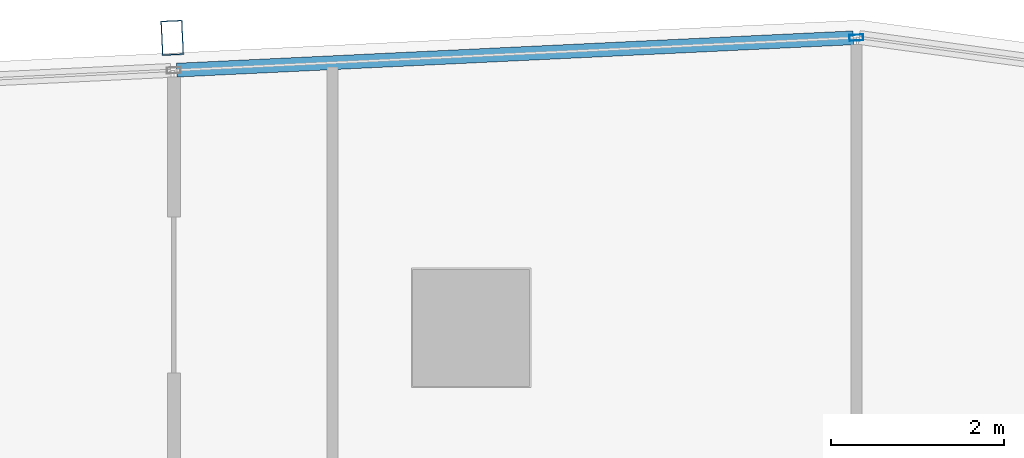
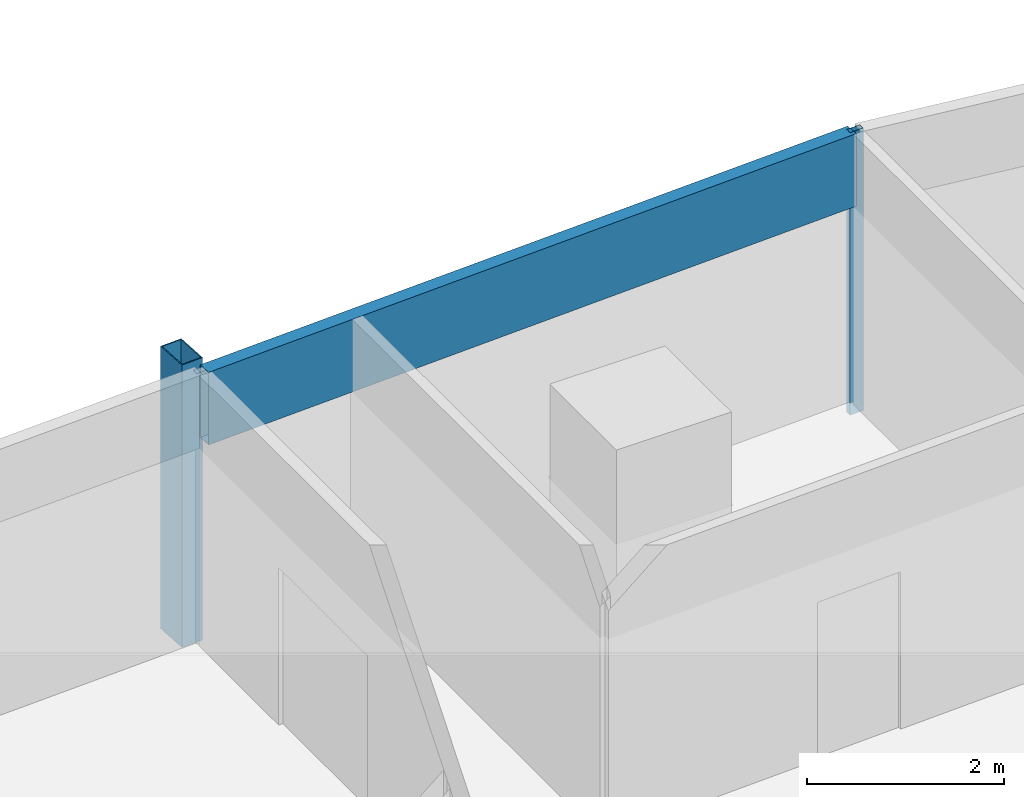
# One storey, part 22 of 35: 3 members, 1 element without a shape of its own.
"""IFC4 building model written with IfcOpenShell, lengths in metres."""

from ifc_helpers import new_model, si_unit, direction, frame, origin, origin_2d, place, context, subcontext, project, spatial, hollow_rectangle, extrude, material, material_profile, profile_set, type_object, element, aggregate, save


model = new_model("IFC4")

# Units and contexts
model_context = context("Model", 3, precision=1e-05, world=origin(), true_north=direction((0.0, 1.0)))
body_context = subcontext(model_context, "Body", "Model", "MODEL_VIEW")
ifc_project = project(units=[si_unit("LENGTHUNIT", "METRE"), si_unit("AREAUNIT", "SQUARE_METRE"), si_unit("VOLUMEUNIT", "CUBIC_METRE"), si_unit("PLANEANGLEUNIT", "RADIAN"), si_unit("MASSUNIT", "GRAM", prefix="KILO")], contexts=[model_context])

# Site, building, storey
site_placement = place(None, origin())
site = spatial("IfcSite", under=ifc_project, at=site_placement, CompositionType="ELEMENT")
building_placement = place(site_placement, origin())
building = spatial("IfcBuilding", under=site, at=building_placement, Name="Rekha Terrace Tower", CompositionType="ELEMENT")
storey_placement = place(building_placement, frame((0.0, 0.0, 191.449951171875)))
storey = spatial("IfcBuildingStorey", under=building, at=storey_placement, Name="L48", CompositionType="ELEMENT", Elevation=191.449951171875)

# Curtain wall, members
ifc_material_1 = material(Name="Aluminium framing", Category="aluminium")
curtain_wall_type = type_object("IfcCurtainWallType", Name="CW3 north unitised glazing", PredefinedType="USERDEFINED", material=ifc_material_1)
curtain_wall_placement = place(storey_placement, origin())
curtain_wall = element("IfcCurtainWall", 1, at=curtain_wall_placement, inside=storey, type_object=curtain_wall_type, Name="CW3 unitised curtain wall", ObjectType="UNITISED CURTAIN WALL", PredefinedType="USERDEFINED")
ifc_material_2 = material(Name="Steel S355 with fluorocarbon finish", Category="steel")
ifc_material_profile_1 = material_profile(ifc_material_2, hollow_rectangle(XDim=0.25, YDim=0.39990234375, WallThickness=0.012451171875, at=origin_2d()), Name="RHS400x250x12.5")
ifc_profile_set_1 = profile_set([ifc_material_profile_1], Name="Steel S355 with fluorocarbon finish")
member_type_1 = type_object("IfcMemberType", Name="BL1 facade blade RHS 400 x 250", PredefinedType="USERDEFINED", material=ifc_profile_set_1)
member_1_placement = place(storey_placement, frame((38.55224609375, 62.145751953125, 0.0), z_axis=(0.0, 0.0, 1.0), x_axis=(-0.998858913274, -0.04775846913, 0.0)))
member_1 = element("IfcMember", 2, at=member_1_placement, type_object=member_type_1, Name="Facade blade", ObjectType="FACADE BLADE", PredefinedType="USERDEFINED", context=body_context, shape_type="SweptSolid", body=[
    extrude(hollow_rectangle(XDim=0.25, YDim=0.39990234375, WallThickness=0.012451171875, at=origin_2d()), origin(), (0.0, 0.0, 1.0), 3.5),
])
ifc_material_3 = material(Name="Aluminium mullion section", Category="aluminium")
ifc_material_profile_2 = material_profile(ifc_material_3, hollow_rectangle(XDim=0.070068359375, YDim=0.159912109375, WallThickness=0.00390625, at=origin_2d()), Name="AL RHS 70x160")
ifc_profile_set_2 = profile_set([ifc_material_profile_2], Name="Aluminium mullion section")
member_type_2 = type_object("IfcMemberType", Name="CW3 mullion RHS 70 x 160", PredefinedType="MULLION", material=ifc_profile_set_2)
member_2_placement = place(storey_placement, frame((46.4443359375, 62.147705078125, 0.0), z_axis=(0.0, 0.0, 1.0), x_axis=(0.047758616983, -0.998858906204, 0.0)))
member_2 = element("IfcMember", 3, at=member_2_placement, type_object=member_type_2, Name="CW3 mullion 1", PredefinedType="MULLION", context=body_context, shape_type="SweptSolid", body=[
    extrude(hollow_rectangle(XDim=0.070068359375, YDim=0.159912109375, WallThickness=0.00390625, at=origin_2d()), origin(), (0.0, 0.0, 1.0), 3.5),
])
ifc_material_4 = material(Name="Insulated aluminium spandrel box", Category="aluminium")
ifc_material_profile_3 = material_profile(ifc_material_4, hollow_rectangle(XDim=0.159912109375, YDim=0.89990234375, WallThickness=0.0029296875, at=origin_2d()), Name="AL SPANDREL BOX 160x900")
ifc_profile_set_3 = profile_set([ifc_material_profile_3], Name="Insulated aluminium spandrel box")
member_type_3 = type_object("IfcMemberType", Name="CW3 spandrel transom 160 x 900", PredefinedType="USERDEFINED", material=ifc_profile_set_3)
member_3_placement = place(storey_placement, frame((46.4091796875, 62.14599609375, 3.050048828125), z_axis=(-0.998859425172, -0.047747761666, 0.0), x_axis=(0.047747761666, -0.998859425172, 0.0)))
member_3 = element("IfcMember", 4, at=member_3_placement, type_object=member_type_3, Name="CW3 spandrel transom 1", ObjectType="TRANSOM", PredefinedType="USERDEFINED", context=body_context, shape_type="SweptSolid", body=[
    extrude(hollow_rectangle(XDim=0.159912109375, YDim=0.89990234375, WallThickness=0.0029296875, at=origin_2d()), origin(), (0.0, 0.0, 1.0), 7.81298828125),
])
aggregate(curtain_wall, [member_2, member_3, member_1])

save(model, "model.ifc")
